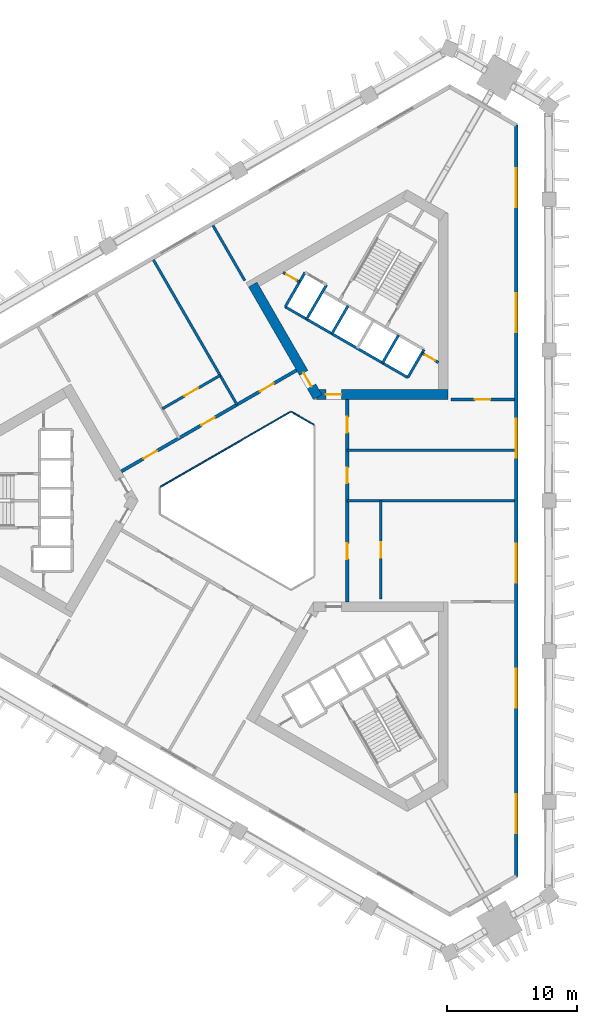
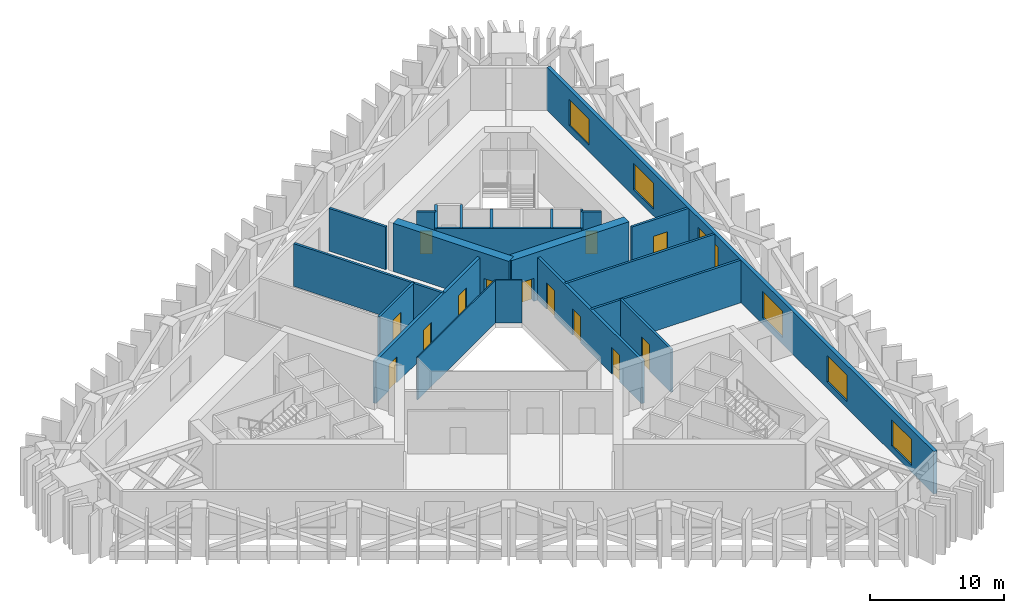
# One storey, part 6 of 9: 22 walls, 13 doors, 6 windows, 19 openings.
"""IFC4 building model written with IfcOpenShell, lengths in metres."""

import ifcopenshell
import ifcopenshell.guid

model = None  # the IFC model being written
_history = None  # IfcOwnerHistory: only IFC2X3 demands one
_inside = {}  # id of a spatial element -> (the spatial element, [elements in it])
_under = {}  # id of a project, library or spatial element -> (it, [spatial elements below it])
_declared = {}  # id of a project -> (the project, [libraries it declares])
_typed = {}  # id of a type object -> (the type object, [elements of that type])
_made_of = {}  # id of a material, layer set ... -> (it, [elements and type objects made of it])


def new_model(schema):
    """Start an empty IFC model of exactly this schema.

    Asked for "IFC4X3", IfcOpenShell would pick the latest addendum, in which some entities
    have other attributes; the version numbers below select the first issue.
    IFC2X3 requires an IfcOwnerHistory on every rooted entity: one is made here for all.
    """
    global model, _history
    if schema == "IFC4X3":
        model = ifcopenshell.file(schema_version=(4, 3, 0, 0))
    else:
        model = ifcopenshell.file(schema=schema)
    _inside.clear()
    _under.clear()
    _declared.clear()
    _typed.clear()
    _made_of.clear()
    _history = None
    if model.schema == "IFC2X3":
        org = make("IfcOrganization", Name="unknown")
        user = make(
            "IfcPersonAndOrganization",
            ThePerson=make("IfcPerson", FamilyName="unknown"),
            TheOrganization=org,
        )
        app = make(
            "IfcApplication",
            ApplicationDeveloper=org,
            Version="unknown",
            ApplicationFullName="unknown",
            ApplicationIdentifier="unknown",
        )
        _history = make(
            "IfcOwnerHistory",
            OwningUser=user,
            OwningApplication=app,
            ChangeAction="ADDED",
            CreationDate=0,
        )
    return model


def make(cls, **values):
    """One entity of the class cls with the attributes given. An attribute that is None is left unset."""
    return model.create_entity(
        cls, **{name: value for name, value in values.items() if value is not None}
    )


def rooted(cls, **values):
    """An entity with a GlobalId (a new one), such as an element, a storey or a relation."""
    return make(cls, GlobalId=ifcopenshell.guid.new(), OwnerHistory=_history, **values)


def si_unit(unit_type, name, prefix=None):
    """IfcSIUnit, for example si_unit("LENGTHUNIT", "METRE", prefix="MILLI")."""
    return make("IfcSIUnit", UnitType=unit_type, Prefix=prefix, Name=name)


def assignment(units):
    """IfcUnitAssignment: the units of a project."""
    return None if units is None else make("IfcUnitAssignment", Units=units)


def point(xyz):
    """IfcCartesianPoint."""
    return None if xyz is None else make("IfcCartesianPoint", Coordinates=xyz)


def direction(xyz):
    """IfcDirection."""
    return None if xyz is None else make("IfcDirection", DirectionRatios=xyz)


def frame(location, z_axis=None, x_axis=None):
    """IfcAxis2Placement3D, a coordinate frame: its origin and axes. An axis left out is left unset."""
    return make(
        "IfcAxis2Placement3D",
        Location=point(location),
        Axis=direction(z_axis),
        RefDirection=direction(x_axis),
    )


def frame_2d(location, x_axis=None):
    """IfcAxis2Placement2D, a coordinate frame in the plane: its origin and x axis."""
    return make(
        "IfcAxis2Placement2D", Location=point(location), RefDirection=direction(x_axis)
    )


def origin():
    """The frame at (0, 0, 0) with its axes left unset."""
    return frame((0.0, 0.0, 0.0))


def place(relative_to, where):
    """IfcLocalPlacement: puts the frame where relative to a parent placement (None: the world)."""
    return make(
        "IfcLocalPlacement", PlacementRelTo=relative_to, RelativePlacement=where
    )


def context(
    kind, dimensions, precision=None, world=None, true_north=None, identifier=None
):
    """IfcGeometricRepresentationContext, for example the 3D "Model" context."""
    return make(
        "IfcGeometricRepresentationContext",
        ContextIdentifier=identifier,
        ContextType=kind,
        CoordinateSpaceDimension=dimensions,
        Precision=precision,
        WorldCoordinateSystem=world,
        TrueNorth=true_north,
    )


def subcontext(parent, identifier, kind, view, scale=None):
    """IfcGeometricRepresentationSubContext, for example "Body" below "Model"."""
    return make(
        "IfcGeometricRepresentationSubContext",
        ContextIdentifier=identifier,
        ContextType=kind,
        ParentContext=parent,
        TargetScale=scale,
        TargetView=view,
    )


def project(units=None, contexts=None):
    """IfcProject with its units and contexts."""
    return rooted(
        "IfcProject",
        Name="project",
        RepresentationContexts=contexts,
        UnitsInContext=assignment(units),
    )


def spatial(cls, under=None, at=None, **own):
    """A site, building, storey or space (cls), placed at a placement, below another one or the project."""
    s = rooted(cls, ObjectPlacement=at, **own)
    if under is not None:
        _under.setdefault(under.id(), (under, []))[1].append(s)
    return s


def profile(cls, at=None, kind="AREA", **sizes):
    """A parametric profile (cls). Its sizes go by their IFC names, for example OverallWidth=200.0."""
    return make(cls, ProfileType=kind, Position=at, **sizes)


def rectangle(**sizes):
    """IfcRectangleProfileDef."""
    return profile("IfcRectangleProfileDef", **sizes)


def extrude(swept, where, along, depth):
    """IfcExtrudedAreaSolid: the profile swept, set in the frame where, extruded along a direction by depth."""
    return make(
        "IfcExtrudedAreaSolid",
        SweptArea=swept,
        Position=where,
        ExtrudedDirection=direction(along),
        Depth=depth,
    )


def shape(context_of_items, identifier, shape_type, items):
    """IfcShapeRepresentation: the items that make up one representation, for example the "Body"."""
    return make(
        "IfcShapeRepresentation",
        ContextOfItems=context_of_items,
        RepresentationIdentifier=identifier,
        RepresentationType=shape_type,
        Items=items,
    )


def material(Name=None, Category=None):
    """IfcMaterial."""
    return make("IfcMaterial", Name=Name, Category=Category)


def layer(
    of_material, thickness, ventilated=None, Name=None, Category=None, Priority=None
):
    """IfcMaterialLayer: one layer of a wall or slab, of a material (None: an air gap)."""
    return make(
        "IfcMaterialLayer",
        Material=of_material,
        LayerThickness=thickness,
        IsVentilated=ventilated,
        Name=Name,
        Category=Category,
        Priority=Priority,
    )


def layer_set(layers, Name=None):
    """IfcMaterialLayerSet."""
    return make("IfcMaterialLayerSet", MaterialLayers=layers, LayerSetName=Name)


def made_of(thing, what):
    """Note that an element or type object is made of a material, layer set ...; save() writes the relation."""
    if what is not None:
        _made_of.setdefault(what.id(), (what, []))[1].append(thing)
    return thing


def type_object(cls, material=None, **own):
    """A type object (cls), such as IfcWallType, which elements share."""
    return made_of(rooted(cls, **own), material)


def element(
    cls,
    number,
    at=None,
    inside=None,
    cuts=None,
    type_object=None,
    material=None,
    context=None,
    identifier="Body",
    shape_type=None,
    held_by="IfcProductDefinitionShape",
    body=None,
    shapes=None,
    **own,
):
    """One element of the class cls, such as IfcWall. Its Tag is "e" and its number.

    at: its placement. inside: the storey or other place that contains it. cuts: it is an
    opening in that element (IfcRelVoidsElement). A single representation is given by context,
    identifier, shape_type and body (its items); several are given by shapes. held_by: the class
    of the entity that holds the representations. save() writes the other relations.
    """
    e = rooted(cls, Tag="e%d" % number, ObjectPlacement=at, **own)
    if body is not None:
        shapes = [shape(context, identifier, shape_type, body)]
    if shapes is not None:
        e.Representation = make(held_by, Representations=shapes)
    if inside is not None:
        _inside.setdefault(inside.id(), (inside, []))[1].append(e)
    if cuts is not None:
        rooted(
            "IfcRelVoidsElement", RelatingBuildingElement=cuts, RelatedOpeningElement=e
        )
    if type_object is not None:
        _typed.setdefault(type_object.id(), (type_object, []))[1].append(e)
    return made_of(e, material)


def fill(opening, filler):
    """IfcRelFillsElement: the door or window that sits in an opening."""
    return rooted(
        "IfcRelFillsElement",
        RelatingOpeningElement=opening,
        RelatedBuildingElement=filler,
    )


def aggregate(whole, parts):
    """IfcRelAggregates: a whole, such as a stair, and the parts it consists of."""
    return rooted("IfcRelAggregates", RelatingObject=whole, RelatedObjects=parts)


def save(model, path):
    """Write the relations noted so far, then the file.

    IfcRelAggregates (storeys below a building ...), IfcRelContainedInSpatialStructure (elements
    in a storey), IfcRelDefinesByType, IfcRelAssociatesMaterial and IfcRelDeclares: one each for
    every whole, place, type object, material and project.
    """
    for whole, parts in _under.values():
        aggregate(whole, parts)
    for where, things in _inside.values():
        rooted(
            "IfcRelContainedInSpatialStructure",
            RelatedElements=things,
            RelatingStructure=where,
        )
    for kind, things in _typed.values():
        rooted("IfcRelDefinesByType", RelatedObjects=things, RelatingType=kind)
    for what, things in _made_of.values():
        rooted("IfcRelAssociatesMaterial", RelatedObjects=things, RelatingMaterial=what)
    for by, libraries in _declared.values():
        rooted("IfcRelDeclares", RelatingContext=by, RelatedDefinitions=libraries)
    model.write(path)


model = new_model("IFC4")

# Units and contexts
model_context = context("Model", 3, precision=1e-05, world=origin(), true_north=direction((0.0, 1.0)))
body_context = subcontext(model_context, "Body", "Model", "MODEL_VIEW")
ifc_project = project(units=[si_unit("LENGTHUNIT", "METRE"), si_unit("AREAUNIT", "SQUARE_METRE"), si_unit("VOLUMEUNIT", "CUBIC_METRE"), si_unit("PLANEANGLEUNIT", "RADIAN"), si_unit("MASSUNIT", "GRAM", prefix="KILO")], contexts=[model_context])

# Site, building, storey
site_placement = place(None, origin())
site = spatial("IfcSite", under=ifc_project, at=site_placement, CompositionType="ELEMENT")
building_placement = place(site_placement, origin())
building = spatial("IfcBuilding", under=site, at=building_placement, Name="Jabali Bay Hotel Tower and Convention Centre", CompositionType="ELEMENT")
storey_placement = place(building_placement, frame((0.0, 0.0, 98.0)))
storey = spatial("IfcBuildingStorey", under=building, at=storey_placement, Name="L23", CompositionType="ELEMENT", Elevation=98.0)

# Walls
ifc_material_1 = material(Name="Fire-resistant glazing", Category="glass")
ifc_layer_1 = layer(ifc_material_1, 0.10009765625)
ifc_layer_set_1 = layer_set([ifc_layer_1], Name="Fire-resistant glazing")
wall_type_1 = type_object("IfcWallType", Name="Atrium glazed screen 100", PredefinedType="PARTITIONING", material=ifc_layer_set_1)
wall_1_placement = place(storey_placement, frame((79.530029296875, 85.84619140625, 0.0), z_axis=(0.0, 0.0, 1.0), x_axis=(-0.866041268327, 0.499972520799, 0.0)))
element("IfcWall", 1, at=wall_1_placement, inside=storey, type_object=wall_type_1, Name="Atrium screen 2 L23", PredefinedType="PARTITIONING", context=body_context, shape_type="SweptSolid", body=[
    extrude(rectangle(XDim=2.0, YDim=0.10009765625, at=frame_2d((1.0, 0.0))), origin(), (0.0, 0.0, 1.0), 3.89990234375),
])
wall_2_placement = place(storey_placement, frame((77.738037109375, 86.84619140625, 0.0), z_axis=(0.0, 0.0, 1.0), x_axis=(-0.866026658274, -0.499997827154, 0.0)))
element("IfcWall", 2, at=wall_2_placement, inside=storey, type_object=wall_type_1, Name="Atrium screen 3 L23", PredefinedType="PARTITIONING", context=body_context, shape_type="SweptSolid", body=[
    extrude(rectangle(XDim=11.58837890625, YDim=0.10009765625, at=frame_2d((5.794189453125, 0.0))), origin(), (0.0, 0.0, 1.0), 3.89990234375),
])

# Wall, opening, door
ifc_material_2 = material(Name="Concrete C40", Category="concrete")
ifc_layer_2 = layer(ifc_material_2, 0.199951171875)
ifc_layer_set_2 = layer_set([ifc_layer_2], Name="Concrete C40")
wall_type_2 = type_object("IfcWallType", Name="Core partition wall 200", PredefinedType="PARTITIONING", material=ifc_layer_set_2)
wall_3_placement = place(storey_placement, frame((89.130126953125, 90.640625, 0.0), z_axis=(0.0, 0.0, 1.0), x_axis=(-0.866094119867, 0.499880961361, 0.0)))
wall_3 = element("IfcWall", 3, at=wall_3_placement, inside=storey, type_object=wall_type_2, Name="Core wall 1.11 L23", PredefinedType="PARTITIONING", context=body_context, shape_type="SweptSolid", body=[
    extrude(rectangle(XDim=1.466552734375, YDim=0.199951171875, at=frame_2d((0.7333984375, 0.0))), origin(), (0.0, 0.0, 1.0), 3.89990234375),
])
opening_1_placement = place(wall_3_placement, frame((0.283447265625, 0.0, 0.0)))
opening_1 = element("IfcOpeningElement", 4, at=opening_1_placement, cuts=wall_3, Name="Opening D537", PredefinedType="OPENING", context=body_context, shape_type="SweptSolid", body=[
    extrude(rectangle(XDim=0.89990234375, YDim=2.10009765625, at=frame_2d((0.449951171875, 1.050048828125))), frame((0.0, 0.1103515625, 0.0), z_axis=(0.0, -1.0, 0.0), x_axis=(1.0, 0.0, 0.0)), (0.0, 0.0, 1.0), 0.220947265625),
])
ifc_material_3 = material(Name="Fire-rated steel door", Category="steel")
door_type_1 = type_object("IfcDoorType", Name="Vestibule fire door 900 x 2100", OperationType="NOTDEFINED", PredefinedType="NOTDEFINED", material=ifc_material_3)
door_1_placement = place(opening_1_placement, origin())
door_1 = element("IfcDoor", 5, at=door_1_placement, inside=storey, type_object=door_type_1, Name="Vestibule fire door D537", OperationType="SINGLE_SWING_LEFT", OverallHeight=2.10009765625, OverallWidth=0.89990234375, PredefinedType="NOTDEFINED", context=body_context, shape_type="SweptSolid", body=[
    extrude(rectangle(XDim=0.89990234375, YDim=2.10009765625, at=frame_2d((0.449951171875, 1.050048828125))), frame((0.0, 0.02490234375, 0.0), z_axis=(0.0, -1.0, 0.0), x_axis=(1.0, 0.0, 0.0)), (0.0, 0.0, 1.0), 0.050048828125),
])
fill(opening_1, door_1)

wall_4_placement = place(storey_placement, frame((78.43017578125, 96.84130859375, 0.0), z_axis=(0.0, 0.0, 1.0), x_axis=(-0.866045896294, 0.499964504253, 0.0)))
wall_4 = element("IfcWall", 6, at=wall_4_placement, inside=storey, type_object=wall_type_2, Name="Core wall 1.12 L23", PredefinedType="PARTITIONING", context=body_context, shape_type="SweptSolid", body=[
    extrude(rectangle(XDim=1.455078125, YDim=0.199951171875, at=frame_2d((0.7275390625, 0.0))), origin(), (0.0, 0.0, 1.0), 3.89990234375),
])
opening_2_placement = place(wall_4_placement, frame((0.277587890625, 0.0, 0.0)))
opening_2 = element("IfcOpeningElement", 7, at=opening_2_placement, cuts=wall_4, Name="Opening D536", PredefinedType="OPENING", context=body_context, shape_type="SweptSolid", body=[
    extrude(rectangle(XDim=0.89990234375, YDim=2.10009765625, at=frame_2d((0.449951171875, 1.050048828125))), frame((0.0, 0.1103515625, 0.0), z_axis=(0.0, -1.0, 0.0), x_axis=(1.0, 0.0, 0.0)), (0.0, 0.0, 1.0), 0.220947265625),
])
door_2_placement = place(opening_2_placement, origin())
door_2 = element("IfcDoor", 8, at=door_2_placement, inside=storey, type_object=door_type_1, Name="Vestibule fire door D536", OperationType="SINGLE_SWING_LEFT", OverallHeight=2.10009765625, OverallWidth=0.89990234375, PredefinedType="NOTDEFINED", context=body_context, shape_type="SweptSolid", body=[
    extrude(rectangle(XDim=0.89990234375, YDim=2.10009765625, at=frame_2d((0.449951171875, 1.050048828125))), frame((0.0, 0.02490234375, 0.0), z_axis=(0.0, -1.0, 0.0), x_axis=(1.0, 0.0, 0.0)), (0.0, 0.0, 1.0), 0.050048828125),
])
fill(opening_2, door_2)

# Walls
ifc_layer_3 = layer(ifc_material_2, 0.199951171875)
ifc_layer_set_3 = layer_set([ifc_layer_3], Name="Concrete C40")
wall_type_3 = type_object("IfcWallType", Name="Core stair wall 200", PredefinedType="SOLIDWALL", material=ifc_layer_set_3)
for number, where, z_axis, x_axis, name in (
    (9, (86.769775390625, 89.48583984375, 0.0), (0.0, 0.0, 1.0), (0.499961042966, 0.86604789447, 0.0), "Core wall 1.0 L23"),
    (10, (84.8212890625, 90.61083984375, 0.0), (0.0, 0.0, 1.0), (0.499961042966, 0.86604789447, 0.0), "Core wall 1.1 L23"),
    (11, (80.924072265625, 92.86083984375, 0.0), (0.0, 0.0, 1.0), (0.499961042966, 0.86604789447, 0.0), "Core wall 1.6 L23"),
):
    element("IfcWall", number, at=place(storey_placement, frame(where, z_axis=z_axis, x_axis=x_axis)), inside=storey, type_object=wall_type_3, Name=name, PredefinedType="SOLIDWALL", context=body_context, shape_type="SweptSolid", body=[
        extrude(rectangle(XDim=2.480224609375, YDim=0.199951171875, at=frame_2d((1.240234375, 0.0))), origin(), (0.0, 0.0, 1.0), 3.89990234375),
    ])
for number, where, z_axis, x_axis, name in (
    (12, (78.9755859375, 93.98583984375, 0.0), (0.0, 0.0, 1.0), (0.499944174705, 0.866057632134, 0.0), "Core wall 1.8 L23"),
    (13, (77.330078125, 94.93603515625, 0.0), (0.0, 0.0, 1.0), (0.500038867431, 0.8660029625, 0.0), "Core wall 1.9 L23"),
):
    element("IfcWall", number, at=place(storey_placement, frame(where, z_axis=z_axis, x_axis=x_axis)), inside=storey, type_object=wall_type_3, Name=name, PredefinedType="SOLIDWALL", context=body_context, shape_type="SweptSolid", body=[
        extrude(rectangle(XDim=3.050048828125, YDim=0.199951171875, at=frame_2d((1.52490234375, 0.0))), origin(), (0.0, 0.0, 1.0), 3.89990234375),
    ])
wall_5_placement = place(storey_placement, frame((86.769775390625, 89.48583984375, 0.0), z_axis=(0.0, 0.0, 1.0), x_axis=(-0.86601811187, 0.500012629753, 0.0)))
element("IfcWall", 14, at=wall_5_placement, inside=storey, type_object=wall_type_3, Name="Core wall 1.10 L23", PredefinedType="SOLIDWALL", context=body_context, shape_type="SweptSolid", body=[
    extrude(rectangle(XDim=10.900146484375, YDim=0.199951171875, at=frame_2d((5.4501953125, 0.0))), origin(), (0.0, 0.0, 1.0), 3.89990234375),
])

# Wall, opening, door
ifc_material_4 = material(Name="Concrete C60", Category="concrete")
ifc_layer_4 = layer(ifc_material_4, 0.75)
ifc_layer_set_4 = layer_set([ifc_layer_4], Name="Concrete C60")
wall_type_4 = type_object("IfcWallType", Name="Core wall 750", PredefinedType="SHEAR", material=ifc_layer_set_4)
wall_6_placement = place(storey_placement, frame((79.716552734375, 88.169189453125, 0.0), z_axis=(0.0, 0.0, 1.0), x_axis=(1.0, 0.0, 0.0)))
wall_6 = element("IfcWall", 15, at=wall_6_placement, inside=storey, type_object=wall_type_4, Name="Core wall 2.1 L23", PredefinedType="SHEAR", context=body_context, shape_type="SweptSolid", body=[
    extrude(rectangle(XDim=10.163330078125, YDim=0.75, at=frame_2d((5.08154296875, 0.0))), origin(), (0.0, 0.0, 1.0), 4.39990234375),
])
opening_3_placement = place(wall_6_placement, frame((0.7333984375, 0.0, 0.0)))
opening_3 = element("IfcOpeningElement", 16, at=opening_3_placement, cuts=wall_6, Name="Opening D534", PredefinedType="OPENING", context=body_context, shape_type="SweptSolid", body=[
    extrude(rectangle(XDim=1.199951171875, YDim=2.10009765625, at=frame_2d((0.60009765625, 1.050048828125))), frame((0.0, 0.385498046875, 0.0), z_axis=(0.0, -1.0, 0.0), x_axis=(1.0, 0.0, 0.0)), (0.0, 0.0, 1.0), 0.77099609375),
])
door_type_2 = type_object("IfcDoorType", Name="Corridor end fire door 1200 x 2100", OperationType="NOTDEFINED", PredefinedType="NOTDEFINED", material=ifc_material_3)
door_3_placement = place(opening_3_placement, origin())
door_3 = element("IfcDoor", 17, at=door_3_placement, inside=storey, type_object=door_type_2, Name="Corridor end fire door D534", OperationType="SINGLE_SWING_RIGHT", OverallHeight=2.10009765625, OverallWidth=1.199951171875, PredefinedType="NOTDEFINED", context=body_context, shape_type="SweptSolid", body=[
    extrude(rectangle(XDim=1.199951171875, YDim=2.10009765625, at=frame_2d((0.60009765625, 1.050048828125))), frame((0.0, 0.02490234375, 0.0), z_axis=(0.0, -1.0, 0.0), x_axis=(1.0, 0.0, 0.0)), (0.0, 0.0, 1.0), 0.050048828125),
])
fill(opening_3, door_3)

wall_7_placement = place(storey_placement, frame((74.822265625, 96.646240234375, 0.0), z_axis=(0.0, 0.0, 1.0), x_axis=(0.499997052475, -0.866027105532, 0.0)))
wall_7 = element("IfcWall", 18, at=wall_7_placement, inside=storey, type_object=wall_type_4, Name="Core wall 2.5 L23", PredefinedType="SHEAR", context=body_context, shape_type="SweptSolid", body=[
    extrude(rectangle(XDim=10.0048828125, YDim=0.75, at=frame_2d((5.00244140625, 0.0))), origin(), (0.0, 0.0, 1.0), 4.39990234375),
])
opening_4_placement = place(wall_7_placement, frame((7.85498046875, 0.0, 0.0)))
opening_4 = element("IfcOpeningElement", 19, at=opening_4_placement, cuts=wall_7, Name="Opening D535", PredefinedType="OPENING", context=body_context, shape_type="SweptSolid", body=[
    extrude(rectangle(XDim=1.199951171875, YDim=2.10009765625, at=frame_2d((0.60009765625, 1.050048828125))), frame((0.0, 0.385498046875, 0.0), z_axis=(0.0, -1.0, 0.0), x_axis=(1.0, 0.0, 0.0)), (0.0, 0.0, 1.0), 0.77099609375),
])
door_4_placement = place(opening_4_placement, origin())
door_4 = element("IfcDoor", 20, at=door_4_placement, inside=storey, type_object=door_type_2, Name="Corridor end fire door D535", OperationType="SINGLE_SWING_LEFT", OverallHeight=2.10009765625, OverallWidth=1.199951171875, PredefinedType="NOTDEFINED", context=body_context, shape_type="SweptSolid", body=[
    extrude(rectangle(XDim=1.199951171875, YDim=2.10009765625, at=frame_2d((0.60009765625, 1.050048828125))), frame((0.0, 0.02490234375, 0.0), z_axis=(0.0, -1.0, 0.0), x_axis=(1.0, 0.0, 0.0)), (0.0, 0.0, 1.0), 0.050048828125),
])
fill(opening_4, door_4)

# Wall, openings, doors
ifc_layer_5 = layer(ifc_material_4, 0.25)
ifc_layer_set_5 = layer_set([ifc_layer_5], Name="Concrete C60")
wall_type_5 = type_object("IfcWallType", Name="Corridor wall 250", PredefinedType="SHEAR", material=ifc_layer_set_5)
wall_8_placement = place(storey_placement, frame((82.10009765625, 72.205810546875, 0.0), z_axis=(0.0, 0.0, 1.0), x_axis=(0.0, 1.0, 0.0)))
wall_8 = element("IfcWall", 21, at=wall_8_placement, inside=storey, type_object=wall_type_5, Name="Corridor wall 1 L23", PredefinedType="SHEAR", context=body_context, shape_type="SweptSolid", body=[
    extrude(rectangle(XDim=15.58837890625, YDim=0.25, at=frame_2d((7.794189453125, 0.0))), origin(), (0.0, 0.0, 1.0), 3.89990234375),
])
opening_5_placement = place(wall_8_placement, frame((3.297119140625, 0.0, 0.0)))
opening_5 = element("IfcOpeningElement", 22, at=opening_5_placement, cuts=wall_8, Name="Opening 2301", PredefinedType="OPENING", context=body_context, shape_type="SweptSolid", body=[
    extrude(rectangle(XDim=1.199951171875, YDim=2.39990234375, at=frame_2d((0.60009765625, 1.199951171875))), frame((0.0, 0.135498046875, 0.0), z_axis=(0.0, -1.0, 0.0), x_axis=(1.0, 0.0, 0.0)), (0.0, 0.0, 1.0), 0.27099609375),
])
opening_6_placement = place(wall_8_placement, frame((9.142822265625, 0.0, 0.0)))
opening_6 = element("IfcOpeningElement", 23, at=opening_6_placement, cuts=wall_8, Name="Opening 2303", PredefinedType="OPENING", context=body_context, shape_type="SweptSolid", body=[
    extrude(rectangle(XDim=1.199951171875, YDim=2.39990234375, at=frame_2d((0.60009765625, 1.199951171875))), frame((0.0, 0.135498046875, 0.0), z_axis=(0.0, -1.0, 0.0), x_axis=(1.0, 0.0, 0.0)), (0.0, 0.0, 1.0), 0.27099609375),
])
opening_7_placement = place(wall_8_placement, frame((13.039794921875, 0.0, 0.0)))
opening_7 = element("IfcOpeningElement", 24, at=opening_7_placement, cuts=wall_8, Name="Opening 2304", PredefinedType="OPENING", context=body_context, shape_type="SweptSolid", body=[
    extrude(rectangle(XDim=1.199951171875, YDim=2.39990234375, at=frame_2d((0.60009765625, 1.199951171875))), frame((0.0, 0.135498046875, 0.0), z_axis=(0.0, -1.0, 0.0), x_axis=(1.0, 0.0, 0.0)), (0.0, 0.0, 1.0), 0.27099609375),
])
ifc_material_5 = material(Name="Timber", Category="wood")
door_type_3 = type_object("IfcDoorType", Name="Public room door 1200 x 2400", OperationType="NOTDEFINED", PredefinedType="NOTDEFINED", material=ifc_material_5)
door_5_placement = place(opening_6_placement, origin())
door_5 = element("IfcDoor", 25, at=door_5_placement, inside=storey, type_object=door_type_3, Name="Door 2303", OperationType="SINGLE_SWING_RIGHT", OverallHeight=2.39990234375, OverallWidth=1.199951171875, PredefinedType="NOTDEFINED", context=body_context, shape_type="SweptSolid", body=[
    extrude(rectangle(XDim=1.199951171875, YDim=2.39990234375, at=frame_2d((0.60009765625, 1.199951171875))), frame((0.0, 0.02490234375, 0.0), z_axis=(0.0, -1.0, 0.0), x_axis=(1.0, 0.0, 0.0)), (0.0, 0.0, 1.0), 0.050048828125),
])
fill(opening_6, door_5)
door_6_placement = place(opening_7_placement, origin())
door_6 = element("IfcDoor", 26, at=door_6_placement, inside=storey, type_object=door_type_3, Name="Door 2304", OperationType="SINGLE_SWING_RIGHT", OverallHeight=2.39990234375, OverallWidth=1.199951171875, PredefinedType="NOTDEFINED", context=body_context, shape_type="SweptSolid", body=[
    extrude(rectangle(XDim=1.199951171875, YDim=2.39990234375, at=frame_2d((0.60009765625, 1.199951171875))), frame((0.0, 0.02490234375, 0.0), z_axis=(0.0, -1.0, 0.0), x_axis=(1.0, 0.0, 0.0)), (0.0, 0.0, 1.0), 0.050048828125),
])
fill(opening_7, door_6)
ifc_material_6 = material(Name="Steel Q355B", Category="steel")
door_type_4 = type_object("IfcDoorType", Name="Refuge hall door 1200 x 2400", OperationType="NOTDEFINED", PredefinedType="NOTDEFINED", material=ifc_material_6)
door_7_placement = place(opening_5_placement, origin())
door_7 = element("IfcDoor", 27, at=door_7_placement, inside=storey, type_object=door_type_4, Name="Door 2301", OperationType="SINGLE_SWING_LEFT", OverallHeight=2.39990234375, OverallWidth=1.199951171875, PredefinedType="NOTDEFINED", context=body_context, shape_type="SweptSolid", body=[
    extrude(rectangle(XDim=1.199951171875, YDim=2.39990234375, at=frame_2d((0.60009765625, 1.199951171875))), frame((0.0, 0.02490234375, 0.0), z_axis=(0.0, -1.0, 0.0), x_axis=(1.0, 0.0, 0.0)), (0.0, 0.0, 1.0), 0.050048828125),
])
fill(opening_5, door_7)

wall_9_placement = place(storey_placement, frame((78.199951171875, 90.0458984375, 0.0), z_axis=(0.0, 0.0, 1.0), x_axis=(-0.866026492143, -0.499998114903, 0.0)))
wall_9 = element("IfcWall", 28, at=wall_9_placement, inside=storey, type_object=wall_type_5, Name="Corridor wall 2 L23", PredefinedType="SHEAR", context=body_context, shape_type="SweptSolid", body=[
    extrude(rectangle(XDim=15.58837890625, YDim=0.25, at=frame_2d((7.794189453125, 0.0))), origin(), (0.0, 0.0, 1.0), 3.89990234375),
])
opening_8_placement = place(wall_9_placement, frame((2.050048828125, 0.0, 0.0)))
opening_8 = element("IfcOpeningElement", 29, at=opening_8_placement, cuts=wall_9, Name="Opening 2305", PredefinedType="OPENING", context=body_context, shape_type="SweptSolid", body=[
    extrude(rectangle(XDim=1.199951171875, YDim=2.39990234375, at=frame_2d((0.60009765625, 1.199951171875))), frame((0.0, 0.135498046875, 0.0), z_axis=(0.0, -1.0, 0.0), x_axis=(1.0, 0.0, 0.0)), (0.0, 0.0, 1.0), 0.27099609375),
])
opening_9_placement = place(wall_9_placement, frame((7.272216796875, 0.0, 0.0)))
opening_9 = element("IfcOpeningElement", 30, at=opening_9_placement, cuts=wall_9, Name="Opening 2306", PredefinedType="OPENING", context=body_context, shape_type="SweptSolid", body=[
    extrude(rectangle(XDim=1.199951171875, YDim=2.39990234375, at=frame_2d((0.60009765625, 1.199951171875))), frame((0.0, 0.135498046875, 0.0), z_axis=(0.0, -1.0, 0.0), x_axis=(1.0, 0.0, 0.0)), (0.0, 0.0, 1.0), 0.27099609375),
])
opening_10_placement = place(wall_9_placement, frame((12.41650390625, 0.0, 0.0)))
opening_10 = element("IfcOpeningElement", 31, at=opening_10_placement, cuts=wall_9, Name="Opening 2308", PredefinedType="OPENING", context=body_context, shape_type="SweptSolid", body=[
    extrude(rectangle(XDim=1.199951171875, YDim=2.39990234375, at=frame_2d((0.60009765625, 1.199951171875))), frame((0.0, 0.135498046875, 0.0), z_axis=(0.0, -1.0, 0.0), x_axis=(1.0, 0.0, 0.0)), (0.0, 0.0, 1.0), 0.27099609375),
])
door_type_5 = type_object("IfcDoorType", Name="Plant room door 1200 x 2400", OperationType="NOTDEFINED", PredefinedType="NOTDEFINED", material=ifc_material_6)
door_8_placement = place(opening_8_placement, origin())
door_8 = element("IfcDoor", 32, at=door_8_placement, inside=storey, type_object=door_type_5, Name="Door 2305", OperationType="SINGLE_SWING_LEFT", OverallHeight=2.39990234375, OverallWidth=1.199951171875, PredefinedType="NOTDEFINED", context=body_context, shape_type="SweptSolid", body=[
    extrude(rectangle(XDim=1.199951171875, YDim=2.39990234375, at=frame_2d((0.60009765625, 1.199951171875))), frame((0.0, 0.02490234375, 0.0), z_axis=(0.0, -1.0, 0.0), x_axis=(1.0, 0.0, 0.0)), (0.0, 0.0, 1.0), 0.050048828125),
])
fill(opening_8, door_8)
door_9_placement = place(opening_10_placement, origin())
door_9 = element("IfcDoor", 33, at=door_9_placement, inside=storey, type_object=door_type_3, Name="Door 2308", OperationType="SINGLE_SWING_RIGHT", OverallHeight=2.39990234375, OverallWidth=1.199951171875, PredefinedType="NOTDEFINED", context=body_context, shape_type="SweptSolid", body=[
    extrude(rectangle(XDim=1.199951171875, YDim=2.39990234375, at=frame_2d((0.60009765625, 1.199951171875))), frame((0.0, 0.02490234375, 0.0), z_axis=(0.0, -1.0, 0.0), x_axis=(1.0, 0.0, 0.0)), (0.0, 0.0, 1.0), 0.050048828125),
])
fill(opening_10, door_9)
door_10_placement = place(opening_9_placement, origin())
door_10 = element("IfcDoor", 34, at=door_10_placement, inside=storey, type_object=door_type_4, Name="Door 2306", OperationType="SINGLE_SWING_RIGHT", OverallHeight=2.39990234375, OverallWidth=1.199951171875, PredefinedType="NOTDEFINED", context=body_context, shape_type="SweptSolid", body=[
    extrude(rectangle(XDim=1.199951171875, YDim=2.39990234375, at=frame_2d((0.60009765625, 1.199951171875))), frame((0.0, 0.02490234375, 0.0), z_axis=(0.0, -1.0, 0.0), x_axis=(1.0, 0.0, 0.0)), (0.0, 0.0, 1.0), 0.050048828125),
])
fill(opening_9, door_10)

# Wall, openings, windows
ifc_layer_6 = layer(ifc_material_2, 0.300048828125)
ifc_layer_set_6 = layer_set([ifc_layer_6], Name="Concrete C40")
wall_type_6 = type_object("IfcWallType", Name="External wall 300", PredefinedType="SOLIDWALL", material=ifc_layer_set_6)
wall_10_placement = place(storey_placement, frame((95.127197265625, 108.93896484375, 0.0), z_axis=(0.0, 0.0, 1.0), x_axis=(0.0, -1.0, 0.0)))
wall_10 = element("IfcWall", 35, at=wall_10_placement, inside=storey, type_object=wall_type_6, Name="External wall east face L23", PredefinedType="SOLIDWALL", context=body_context, shape_type="SweptSolid", body=[
    extrude(rectangle(XDim=57.8779296875, YDim=0.300048828125, at=frame_2d((28.93896484375, 0.0))), origin(), (0.0, 0.0, 1.0), 3.89990234375),
])
opening_11_placement = place(wall_10_placement, frame((3.3232421875, 0.0, 0.60009765625)))
opening_11 = element("IfcOpeningElement", 36, at=opening_11_placement, cuts=wall_10, Name="Opening W2", PredefinedType="OPENING", context=body_context, shape_type="SweptSolid", body=[
    extrude(rectangle(XDim=3.0, YDim=2.39990234375, at=frame_2d((1.5, 1.199951171875))), frame((0.0, 0.16064453125, 0.0), z_axis=(0.0, -1.0, 0.0), x_axis=(1.0, 0.0, 0.0)), (0.0, 0.0, 1.0), 0.321044921875),
])
opening_12_placement = place(wall_10_placement, frame((12.969482421875, 0.0, 0.60009765625)))
opening_12 = element("IfcOpeningElement", 37, at=opening_12_placement, cuts=wall_10, Name="Opening W2", PredefinedType="OPENING", context=body_context, shape_type="SweptSolid", body=[
    extrude(rectangle(XDim=3.0, YDim=2.39990234375, at=frame_2d((1.5, 1.199951171875))), frame((0.0, 0.16064453125, 0.0), z_axis=(0.0, -1.0, 0.0), x_axis=(1.0, 0.0, 0.0)), (0.0, 0.0, 1.0), 0.321044921875),
])
opening_13_placement = place(wall_10_placement, frame((22.61572265625, 0.0, 0.60009765625)))
opening_13 = element("IfcOpeningElement", 38, at=opening_13_placement, cuts=wall_10, Name="Opening W2", PredefinedType="OPENING", context=body_context, shape_type="SweptSolid", body=[
    extrude(rectangle(XDim=3.0, YDim=2.39990234375, at=frame_2d((1.5, 1.199951171875))), frame((0.0, 0.16064453125, 0.0), z_axis=(0.0, -1.0, 0.0), x_axis=(1.0, 0.0, 0.0)), (0.0, 0.0, 1.0), 0.321044921875),
])
opening_14_placement = place(wall_10_placement, frame((32.26220703125, 0.0, 0.60009765625)))
opening_14 = element("IfcOpeningElement", 39, at=opening_14_placement, cuts=wall_10, Name="Opening W2", PredefinedType="OPENING", context=body_context, shape_type="SweptSolid", body=[
    extrude(rectangle(XDim=3.0, YDim=2.39990234375, at=frame_2d((1.5, 1.199951171875))), frame((0.0, 0.16064453125, 0.0), z_axis=(0.0, -1.0, 0.0), x_axis=(1.0, 0.0, 0.0)), (0.0, 0.0, 1.0), 0.321044921875),
])
opening_15_placement = place(wall_10_placement, frame((41.908447265625, 0.0, 0.60009765625)))
opening_15 = element("IfcOpeningElement", 40, at=opening_15_placement, cuts=wall_10, Name="Opening W2", PredefinedType="OPENING", context=body_context, shape_type="SweptSolid", body=[
    extrude(rectangle(XDim=3.0, YDim=2.39990234375, at=frame_2d((1.5, 1.199951171875))), frame((0.0, 0.16064453125, 0.0), z_axis=(0.0, -1.0, 0.0), x_axis=(1.0, 0.0, 0.0)), (0.0, 0.0, 1.0), 0.321044921875),
])
opening_16_placement = place(wall_10_placement, frame((51.5546875, 0.0, 0.60009765625)))
opening_16 = element("IfcOpeningElement", 41, at=opening_16_placement, cuts=wall_10, Name="Opening W2", PredefinedType="OPENING", context=body_context, shape_type="SweptSolid", body=[
    extrude(rectangle(XDim=3.0, YDim=2.39990234375, at=frame_2d((1.5, 1.199951171875))), frame((0.0, 0.16064453125, 0.0), z_axis=(0.0, -1.0, 0.0), x_axis=(1.0, 0.0, 0.0)), (0.0, 0.0, 1.0), 0.321044921875),
])
ifc_material_7 = material(Name="Aluminium", Category="aluminium")
window_type = type_object("IfcWindowType", Name="Louvred ventilation panel 3000 x 2400", PartitioningType="SINGLE_PANEL", PredefinedType="WINDOW", material=ifc_material_7)
window_1_placement = place(opening_11_placement, origin())
window_1 = element("IfcWindow", 42, at=window_1_placement, inside=storey, type_object=window_type, Name="Louvred panel 1", OverallHeight=2.39990234375, OverallWidth=3.0, PartitioningType="SINGLE_PANEL", PredefinedType="WINDOW", context=body_context, shape_type="SweptSolid", body=[
    extrude(rectangle(XDim=3.0, YDim=2.39990234375, at=frame_2d((1.5, 1.199951171875))), frame((0.0, 0.030029296875, 0.0), z_axis=(0.0, -1.0, 0.0), x_axis=(1.0, 0.0, 0.0)), (0.0, 0.0, 1.0), 0.06005859375),
])
fill(opening_11, window_1)
window_2_placement = place(opening_12_placement, origin())
window_2 = element("IfcWindow", 43, at=window_2_placement, inside=storey, type_object=window_type, Name="Louvred panel 2", OverallHeight=2.39990234375, OverallWidth=3.0, PartitioningType="SINGLE_PANEL", PredefinedType="WINDOW", context=body_context, shape_type="SweptSolid", body=[
    extrude(rectangle(XDim=3.0, YDim=2.39990234375, at=frame_2d((1.5, 1.199951171875))), frame((0.0, 0.030029296875, 0.0), z_axis=(0.0, -1.0, 0.0), x_axis=(1.0, 0.0, 0.0)), (0.0, 0.0, 1.0), 0.06005859375),
])
fill(opening_12, window_2)
window_3_placement = place(opening_13_placement, origin())
window_3 = element("IfcWindow", 44, at=window_3_placement, inside=storey, type_object=window_type, Name="Louvred panel 3", OverallHeight=2.39990234375, OverallWidth=3.0, PartitioningType="SINGLE_PANEL", PredefinedType="WINDOW", context=body_context, shape_type="SweptSolid", body=[
    extrude(rectangle(XDim=3.0, YDim=2.39990234375, at=frame_2d((1.5, 1.199951171875))), frame((0.0, 0.030029296875, 0.0), z_axis=(0.0, -1.0, 0.0), x_axis=(1.0, 0.0, 0.0)), (0.0, 0.0, 1.0), 0.06005859375),
])
fill(opening_13, window_3)
window_4_placement = place(opening_14_placement, origin())
window_4 = element("IfcWindow", 45, at=window_4_placement, inside=storey, type_object=window_type, Name="Louvred panel 4", OverallHeight=2.39990234375, OverallWidth=3.0, PartitioningType="SINGLE_PANEL", PredefinedType="WINDOW", context=body_context, shape_type="SweptSolid", body=[
    extrude(rectangle(XDim=3.0, YDim=2.39990234375, at=frame_2d((1.5, 1.199951171875))), frame((0.0, 0.030029296875, 0.0), z_axis=(0.0, -1.0, 0.0), x_axis=(1.0, 0.0, 0.0)), (0.0, 0.0, 1.0), 0.06005859375),
])
fill(opening_14, window_4)
window_5_placement = place(opening_15_placement, origin())
window_5 = element("IfcWindow", 46, at=window_5_placement, inside=storey, type_object=window_type, Name="Louvred panel 5", OverallHeight=2.39990234375, OverallWidth=3.0, PartitioningType="SINGLE_PANEL", PredefinedType="WINDOW", context=body_context, shape_type="SweptSolid", body=[
    extrude(rectangle(XDim=3.0, YDim=2.39990234375, at=frame_2d((1.5, 1.199951171875))), frame((0.0, 0.030029296875, 0.0), z_axis=(0.0, -1.0, 0.0), x_axis=(1.0, 0.0, 0.0)), (0.0, 0.0, 1.0), 0.06005859375),
])
fill(opening_15, window_5)
window_6_placement = place(opening_16_placement, origin())
window_6 = element("IfcWindow", 47, at=window_6_placement, inside=storey, type_object=window_type, Name="Louvred panel 6", OverallHeight=2.39990234375, OverallWidth=3.0, PartitioningType="SINGLE_PANEL", PredefinedType="WINDOW", context=body_context, shape_type="SweptSolid", body=[
    extrude(rectangle(XDim=3.0, YDim=2.39990234375, at=frame_2d((1.5, 1.199951171875))), frame((0.0, 0.030029296875, 0.0), z_axis=(0.0, -1.0, 0.0), x_axis=(1.0, 0.0, 0.0)), (0.0, 0.0, 1.0), 0.06005859375),
])
fill(opening_16, window_6)

# Wall
ifc_material_8 = material(Name="Plasterboard on steel stud", Category="steel")
ifc_layer_7 = layer(ifc_material_8, 0.199951171875)
ifc_layer_set_7 = layer_set([ifc_layer_7], Name="Plasterboard on steel stud")
wall_type_7 = type_object("IfcWallType", Name="Partition 200 party", PredefinedType="PARTITIONING", material=ifc_layer_set_7)
wall_11_placement = place(storey_placement, frame((94.978271484375, 83.897216796875, 0.0), z_axis=(0.0, 0.0, 1.0), x_axis=(-1.0, 0.0, 0.0)))
element("IfcWall", 48, at=wall_11_placement, inside=storey, type_object=wall_type_7, Name="Partition P01 L23 004", PredefinedType="PARTITIONING", context=body_context, shape_type="SweptSolid", body=[
    extrude(rectangle(XDim=12.878173828125, YDim=0.199951171875, at=frame_2d((6.43896484375, 0.0))), origin(), (0.0, 0.0, 1.0), 3.89990234375),
])

# Wall, opening, door
ifc_layer_8 = layer(ifc_material_8, 0.199951171875)
ifc_layer_set_8 = layer_set([ifc_layer_8], Name="Plasterboard on steel stud")
wall_type_8 = type_object("IfcWallType", Name="Partition 200 plant", PredefinedType="PARTITIONING", material=ifc_layer_set_8)
wall_12_placement = place(storey_placement, frame((90.0791015625, 87.794189453125, 0.0), z_axis=(0.0, 0.0, 1.0), x_axis=(1.0, 0.0, 0.0)))
wall_12 = element("IfcWall", 49, at=wall_12_placement, inside=storey, type_object=wall_type_8, Name="Partition P04 L23 005", PredefinedType="PARTITIONING", context=body_context, shape_type="SweptSolid", body=[
    extrude(rectangle(XDim=4.899169921875, YDim=0.199951171875, at=frame_2d((2.44970703125, 0.0))), origin(), (0.0, 0.0, 1.0), 3.89990234375),
])
opening_17_placement = place(wall_12_placement, frame((1.85009765625, 0.0, 0.0)))
opening_17 = element("IfcOpeningElement", 50, at=opening_17_placement, cuts=wall_12, Name="Opening 2314", PredefinedType="OPENING", context=body_context, shape_type="SweptSolid", body=[
    extrude(rectangle(XDim=1.199951171875, YDim=2.39990234375, at=frame_2d((0.60009765625, 1.199951171875))), frame((0.0, 0.1103515625, 0.0), z_axis=(0.0, -1.0, 0.0), x_axis=(1.0, 0.0, 0.0)), (0.0, 0.0, 1.0), 0.220947265625),
])
door_11_placement = place(opening_17_placement, origin())
door_11 = element("IfcDoor", 51, at=door_11_placement, inside=storey, type_object=door_type_3, Name="Door 2314", OperationType="SINGLE_SWING_LEFT", OverallHeight=2.39990234375, OverallWidth=1.199951171875, PredefinedType="NOTDEFINED", context=body_context, shape_type="SweptSolid", body=[
    extrude(rectangle(XDim=1.199951171875, YDim=2.39990234375, at=frame_2d((0.60009765625, 1.199951171875))), frame((0.0, 0.02490234375, 0.0), z_axis=(0.0, -1.0, 0.0), x_axis=(1.0, 0.0, 0.0)), (0.0, 0.0, 1.0), 0.050048828125),
])
fill(opening_17, door_11)

# Wall
wall_13_placement = place(storey_placement, frame((71.760986328125, 101.19873046875, 0.0), z_axis=(0.0, 0.0, 1.0), x_axis=(0.499971209087, -0.866042025588, 0.0)))
element("IfcWall", 52, at=wall_13_placement, inside=storey, type_object=wall_type_8, Name="Partition P04 L23 007", PredefinedType="PARTITIONING", context=body_context, shape_type="SweptSolid", body=[
    extrude(rectangle(XDim=4.899169921875, YDim=0.199951171875, at=frame_2d((2.44970703125, 0.0))), origin(), (0.0, 0.0, 1.0), 3.89990234375),
])

# Wall, opening, door
ifc_layer_9 = layer(ifc_material_8, 0.199951171875)
ifc_layer_set_9 = layer_set([ifc_layer_9], Name="Plasterboard on steel stud")
wall_type_9 = type_object("IfcWallType", Name="Partition 200 refuge", PredefinedType="PARTITIONING", material=ifc_layer_set_9)
wall_14_placement = place(storey_placement, frame((84.699951171875, 72.40478515625, 0.0), z_axis=(0.0, 0.0, 1.0), x_axis=(0.0, 1.0, 0.0)))
wall_14 = element("IfcWall", 53, at=wall_14_placement, inside=storey, type_object=wall_type_9, Name="Partition P05 L23 001", PredefinedType="PARTITIONING", context=body_context, shape_type="SweptSolid", body=[
    extrude(rectangle(XDim=7.59521484375, YDim=0.199951171875, at=frame_2d((3.797607421875, 0.0))), origin(), (0.0, 0.0, 1.0), 3.89990234375),
])
opening_18_placement = place(wall_14_placement, frame((3.197998046875, 0.0, 0.0)))
opening_18 = element("IfcOpeningElement", 54, at=opening_18_placement, cuts=wall_14, Name="Opening 2302", PredefinedType="OPENING", context=body_context, shape_type="SweptSolid", body=[
    extrude(rectangle(XDim=1.199951171875, YDim=2.39990234375, at=frame_2d((0.60009765625, 1.199951171875))), frame((0.0, 0.1103515625, 0.0), z_axis=(0.0, -1.0, 0.0), x_axis=(1.0, 0.0, 0.0)), (0.0, 0.0, 1.0), 0.220947265625),
])
door_12_placement = place(opening_18_placement, origin())
door_12 = element("IfcDoor", 55, at=door_12_placement, inside=storey, type_object=door_type_4, Name="Door 2302", OperationType="SINGLE_SWING_RIGHT", OverallHeight=2.39990234375, OverallWidth=1.199951171875, PredefinedType="NOTDEFINED", context=body_context, shape_type="SweptSolid", body=[
    extrude(rectangle(XDim=1.199951171875, YDim=2.39990234375, at=frame_2d((0.60009765625, 1.199951171875))), frame((0.0, 0.02490234375, 0.0), z_axis=(0.0, -1.0, 0.0), x_axis=(1.0, 0.0, 0.0)), (0.0, 0.0, 1.0), 0.050048828125),
])
fill(opening_18, door_12)

# Walls
for number, where, z_axis, x_axis, name in (
    (56, (94.978271484375, 80.0, 0.0), (0.0, 0.0, 1.0), (-1.0, 0.0, 0.0), "Partition P05 L23 002"),
    (57, (67.1708984375, 98.548583984375, 0.0), (0.0, 0.0, 1.0), (0.500006895855, -0.866021422424, 0.0), "Partition P05 L23 006"),
):
    element("IfcWall", number, at=place(storey_placement, frame(where, z_axis=z_axis, x_axis=x_axis)), inside=storey, type_object=wall_type_9, Name=name, PredefinedType="PARTITIONING", context=body_context, shape_type="SweptSolid", body=[
        extrude(rectangle(XDim=12.878173828125, YDim=0.199951171875, at=frame_2d((6.43896484375, 0.0))), origin(), (0.0, 0.0, 1.0), 3.89990234375),
    ])

# Wall, opening, door
wall_15_placement = place(storey_placement, frame((72.31005859375, 89.6474609375, 0.0), z_axis=(0.0, 0.0, 1.0), x_axis=(-0.866035426308, -0.499982640079, 0.0)))
wall_15 = element("IfcWall", 58, at=wall_15_placement, inside=storey, type_object=wall_type_9, Name="Partition P05 L23 008", PredefinedType="PARTITIONING", context=body_context, shape_type="SweptSolid", body=[
    extrude(rectangle(XDim=5.144287109375, YDim=0.199951171875, at=frame_2d((2.572265625, 0.0))), origin(), (0.0, 0.0, 1.0), 3.89990234375),
])
opening_19_placement = place(wall_15_placement, frame((1.971923828125, 0.0, 0.0)))
opening_19 = element("IfcOpeningElement", 59, at=opening_19_placement, cuts=wall_15, Name="Opening 2307", PredefinedType="OPENING", context=body_context, shape_type="SweptSolid", body=[
    extrude(rectangle(XDim=1.199951171875, YDim=2.39990234375, at=frame_2d((0.60009765625, 1.199951171875))), frame((0.0, 0.1103515625, 0.0), z_axis=(0.0, -1.0, 0.0), x_axis=(1.0, 0.0, 0.0)), (0.0, 0.0, 1.0), 0.220947265625),
])
door_13_placement = place(opening_19_placement, origin())
door_13 = element("IfcDoor", 60, at=door_13_placement, inside=storey, type_object=door_type_4, Name="Door 2307", OperationType="SINGLE_SWING_LEFT", OverallHeight=2.39990234375, OverallWidth=1.199951171875, PredefinedType="NOTDEFINED", context=body_context, shape_type="SweptSolid", body=[
    extrude(rectangle(XDim=1.199951171875, YDim=2.39990234375, at=frame_2d((0.60009765625, 1.199951171875))), frame((0.0, 0.02490234375, 0.0), z_axis=(0.0, -1.0, 0.0), x_axis=(1.0, 0.0, 0.0)), (0.0, 0.0, 1.0), 0.050048828125),
])
fill(opening_19, door_13)

save(model, "model.ifc")
